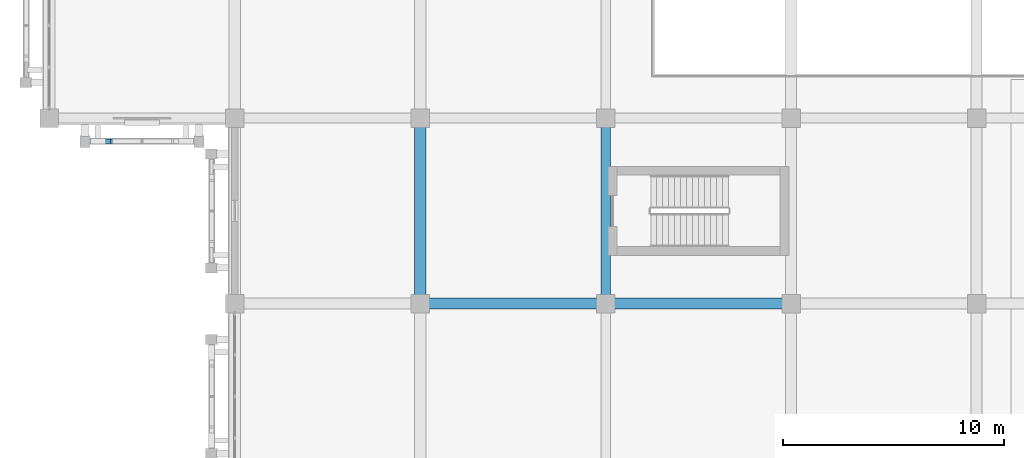
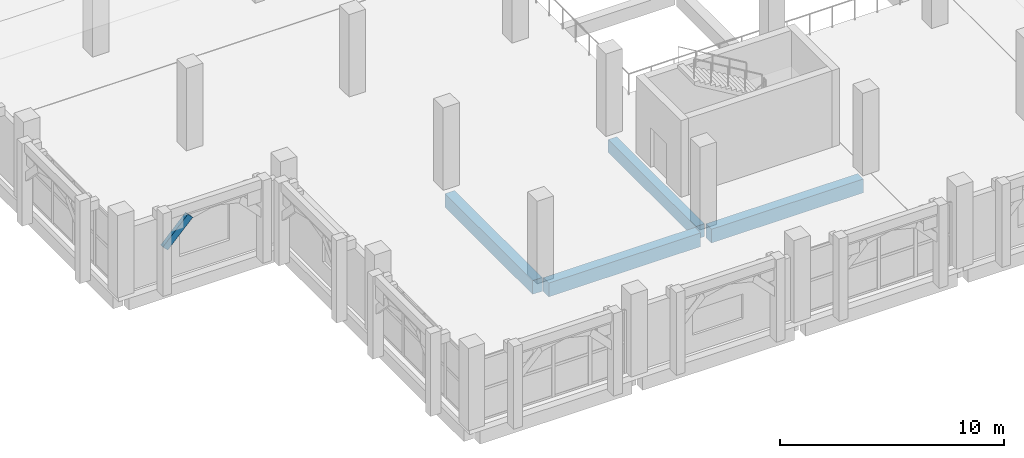
# One storey, part 7 of 137: 4 beams, 1 member.
"""IFC4 building model written with IfcOpenShell, lengths in metres."""

from ifc_helpers import new_model, si_unit, direction, frame, origin, origin_2d, place, context, subcontext, project, spatial, rectangle, extrude, material, material_profile, profile_set, type_object, element, save


model = new_model("IFC4")

# Units and contexts
model_context = context("Model", 3, precision=1e-05, world=origin(), true_north=direction((0.0, 1.0)))
body_context = subcontext(model_context, "Body", "Model", "MODEL_VIEW")
ifc_project = project(units=[si_unit("LENGTHUNIT", "METRE"), si_unit("AREAUNIT", "SQUARE_METRE"), si_unit("VOLUMEUNIT", "CUBIC_METRE"), si_unit("PLANEANGLEUNIT", "RADIAN"), si_unit("MASSUNIT", "GRAM", prefix="KILO")], contexts=[model_context])

# Site, building, storey
site_placement = place(None, origin())
site = spatial("IfcSite", under=ifc_project, at=site_placement, CompositionType="ELEMENT")
building_placement = place(site_placement, origin())
building = spatial("IfcBuilding", under=site, at=building_placement, Name="Xazarin Passage Department Store", CompositionType="ELEMENT")
storey_placement = place(building_placement, frame((0.0, 0.0, 5.39990234375)))
storey = spatial("IfcBuildingStorey", under=building, at=storey_placement, Name="L01", CompositionType="ELEMENT", Elevation=5.39990234375)

# Beams
ifc_material_1 = material(Name="Concrete C35/45", Category="concrete")
ifc_material_profile_1 = material_profile(ifc_material_1, rectangle(XDim=0.449951171875, YDim=0.699951171875, at=origin_2d()), Name="RC 450x700")
ifc_profile_set_1 = profile_set([ifc_material_profile_1], Name="Concrete C35/45")
beam_type_1 = type_object("IfcBeamType", Name="STR-BM-G450x700", PredefinedType="BEAM", material=ifc_profile_set_1)
beam_1_placement = place(storey_placement, frame((25.199951171875, 8.679931640625, -0.669921875), z_axis=(0.0, 1.0, 0.0), x_axis=(-1.0, 0.0, 0.0)))
element("IfcBeam", 1, at=beam_1_placement, inside=storey, type_object=beam_type_1, Name="L01 Grid Beam 4/B-C", PredefinedType="BEAM", context=body_context, shape_type="SweptSolid", body=[
    extrude(rectangle(XDim=0.449951171875, YDim=0.699951171875, at=origin_2d()), origin(), (0.0, 0.0, 1.0), 7.840087890625),
])
ifc_material_profile_2 = material_profile(ifc_material_1, rectangle(XDim=0.5, YDim=0.75, at=origin_2d()), Name="RC 500x750")
ifc_profile_set_2 = profile_set([ifc_material_profile_2], Name="Concrete C35/45")
beam_type_2 = type_object("IfcBeamType", Name="STR-BM-SP500x750", PredefinedType="SPANDREL", material=ifc_profile_set_2)
beam_2_placement = place(storey_placement, frame((17.080078125, 8.39990234375, -0.69482421875), z_axis=(1.0, 0.0, 0.0), x_axis=(0.0, 1.0, 0.0)))
element("IfcBeam", 2, at=beam_2_placement, inside=storey, type_object=beam_type_2, Name="L01 Grid Beam B/3-4", PredefinedType="SPANDREL", context=body_context, shape_type="SweptSolid", body=[
    extrude(rectangle(XDim=0.5, YDim=0.75, at=origin_2d()), origin(), (0.0, 0.0, 1.0), 7.83984375),
])
for number, where, z_axis, x_axis, name in (
    (3, (25.47998046875, 8.39990234375, -0.69482421875), (1.0, 0.0, 0.0), (0.0, 1.0, 0.0), "L01 Grid Beam B/4-5"),
    (4, (16.800048828125, 8.679931640625, -0.69482421875), (0.0, 1.0, 0.0), (-1.0, 0.0, 0.0), "L01 Grid Beam 3/B-C"),
):
    element("IfcBeam", number, at=place(storey_placement, frame(where, z_axis=z_axis, x_axis=x_axis)), inside=storey, type_object=beam_type_2, Name=name, PredefinedType="SPANDREL", context=body_context, shape_type="SweptSolid", body=[
        extrude(rectangle(XDim=0.5, YDim=0.75, at=origin_2d()), origin(), (0.0, 0.0, 1.0), 7.840087890625),
    ])

# Member
ifc_material_2 = material(Name="Concrete C40/50", Category="concrete")
ifc_material_profile_3 = material_profile(ifc_material_2, rectangle(XDim=0.199951171875, YDim=0.360107421875, at=origin_2d()), Name="RC 200x360")
ifc_profile_set_3 = profile_set([ifc_material_profile_3], Name="Concrete C40/50")
member_type = type_object("IfcMemberType", Name="STR-MEM-ARC360", PredefinedType="CHORD", material=ifc_profile_set_3)
member_placement = place(storey_placement, frame((1.6201171875, 15.75, 2.43017578125), z_axis=(0.693391944082, 0.0, 0.720560623322), x_axis=(0.0, 1.0, 0.0)))
element("IfcMember", 5, at=member_placement, inside=storey, type_object=member_type, Name="L01 V3 Pierced Lattice Curved Arch 026.1", PredefinedType="CHORD", context=body_context, shape_type="SweptSolid", body=[
    extrude(rectangle(XDim=0.199951171875, YDim=0.360107421875, at=origin_2d()), origin(), (0.0, 0.0, 1.0), 1.860107421875),
])

save(model, "model.ifc")
